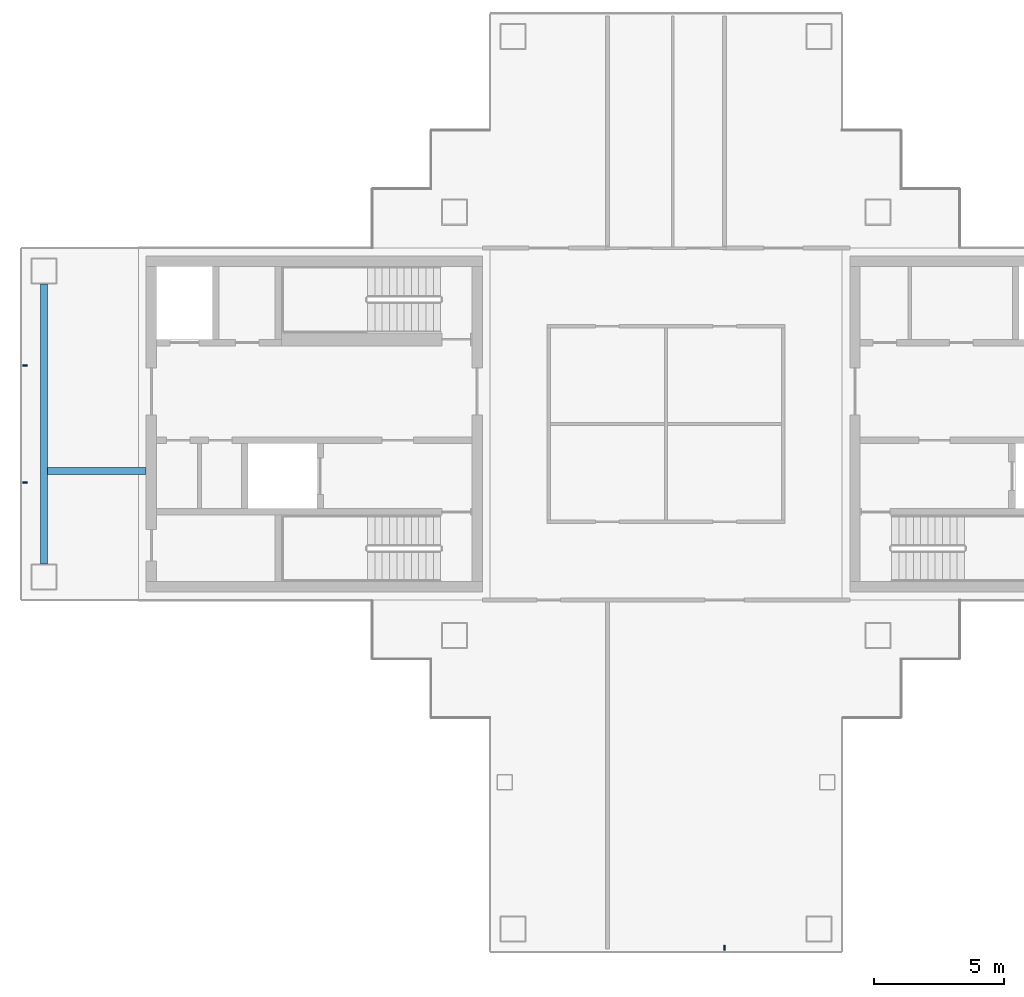
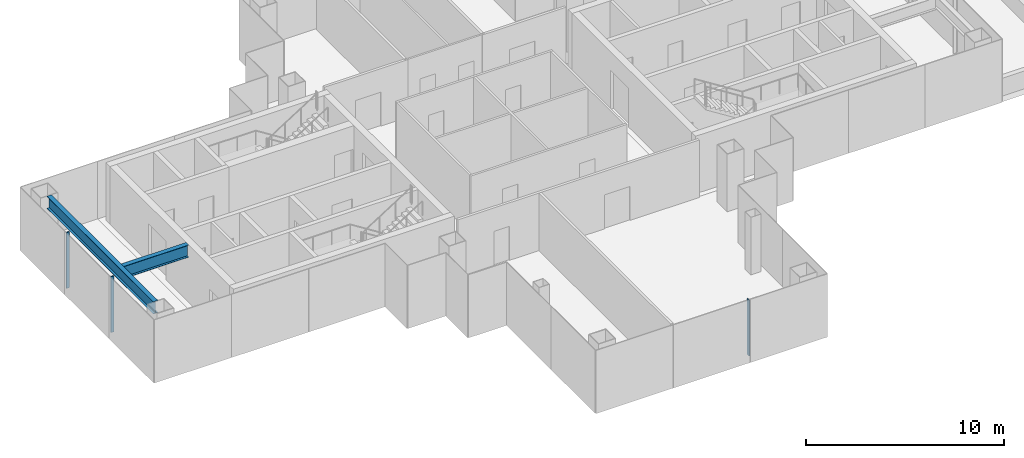
# One storey, part 3 of 16: 3 members, 2 beams, 2 elements without a shape of their own.
"""IFC4 building model written with IfcOpenShell, lengths in metres."""

from ifc_helpers import new_model, si_unit, direction, frame, origin, origin_2d, place, context, subcontext, project, spatial, rectangle, i_section, extrude, material, layer, layer_set, material_profile, profile_set, type_object, element, aggregate, save


model = new_model("IFC4")

# Units and contexts
model_context = context("Model", 3, precision=1e-05, world=origin(), true_north=direction((0.0, 1.0)))
body_context = subcontext(model_context, "Body", "Model", "MODEL_VIEW")
ifc_project = project(units=[si_unit("LENGTHUNIT", "METRE"), si_unit("AREAUNIT", "SQUARE_METRE"), si_unit("VOLUMEUNIT", "CUBIC_METRE"), si_unit("PLANEANGLEUNIT", "RADIAN"), si_unit("MASSUNIT", "GRAM", prefix="KILO")], contexts=[model_context])

# Site, building, storey
site_placement = place(None, origin())
site = spatial("IfcSite", under=ifc_project, at=site_placement, CompositionType="ELEMENT")
building_placement = place(site_placement, origin())
building = spatial("IfcBuilding", under=site, at=building_placement, Name="Shamsa Quay Exchange Towers", CompositionType="ELEMENT")
storey_placement = place(building_placement, frame((0.0, 0.0, 182.699951171875)))
storey = spatial("IfcBuildingStorey", under=building, at=storey_placement, Name="L43", CompositionType="ELEMENT", Elevation=182.699951171875)

# Curtain wall, member
ifc_material_1 = material(Name="Aluminium EN AW-6063 T6, black anodised", Category="aluminium")
ifc_layer = layer(ifc_material_1, 0.280029296875)
ifc_layer_set = layer_set([ifc_layer], Name="CW-1 UNITISED VISION GLASS")
curtain_wall_type = type_object("IfcCurtainWallType", Name="CW-1 UNITISED VISION GLASS", PredefinedType="NOTDEFINED", material=ifc_layer_set)
curtain_wall_1_placement = place(storey_placement, origin())
curtain_wall_1 = element("IfcCurtainWall", 1, at=curtain_wall_1_placement, inside=storey, type_object=curtain_wall_type, Name="CW1 T1-END-V- L43", PredefinedType="NOTDEFINED")
ifc_material_profile_1 = material_profile(ifc_material_1, rectangle(XDim=0.179931640625, YDim=0.06005859375, at=origin_2d()), Name="MU60x180")
ifc_profile_set_1 = profile_set([ifc_material_profile_1], Name="Aluminium EN AW-6063 T6, black anodised")
member_type = type_object("IfcMemberType", Name="CW1 MULLION 60x180", PredefinedType="MULLION", material=ifc_profile_set_1)
member_1_placement = place(storey_placement, frame((-31.5, -20.10009765625, 0.0), z_axis=(0.0, 0.0, 1.0), x_axis=(0.0, 1.0, 0.0)))
member_1 = element("IfcMember", 2, at=member_1_placement, type_object=member_type, Name="CW1 mullion", PredefinedType="MULLION", context=body_context, shape_type="SweptSolid", body=[
    extrude(rectangle(XDim=0.179931640625, YDim=0.06005859375, at=origin_2d()), origin(), (0.0, 0.0, 1.0), 3.449951171875),
])
aggregate(curtain_wall_1, [member_1])

# Curtain wall, members
curtain_wall_2_placement = place(storey_placement, origin())
curtain_wall_2 = element("IfcCurtainWall", 3, at=curtain_wall_2_placement, inside=storey, type_object=curtain_wall_type, Name="CW1 T1-END-U- L43", PredefinedType="NOTDEFINED")
member_2_placement = place(storey_placement, frame((-58.35009765625, 2.25, 0.0)))
member_2 = element("IfcMember", 4, at=member_2_placement, type_object=member_type, Name="CW1 mullion", PredefinedType="MULLION", context=body_context, shape_type="SweptSolid", body=[
    extrude(rectangle(XDim=0.179931640625, YDim=0.06005859375, at=origin_2d()), origin(), (0.0, 0.0, 1.0), 3.449951171875),
])
member_3_placement = place(storey_placement, frame((-58.35009765625, -2.25, 0.0)))
member_3 = element("IfcMember", 5, at=member_3_placement, type_object=member_type, Name="CW1 mullion", PredefinedType="MULLION", context=body_context, shape_type="SweptSolid", body=[
    extrude(rectangle(XDim=0.179931640625, YDim=0.06005859375, at=origin_2d()), origin(), (0.0, 0.0, 1.0), 3.449951171875),
])
aggregate(curtain_wall_2, [member_2, member_3])

# Beams
ifc_material_2 = material(Name="Steel S355", Category="steel")
ifc_material_profile_2 = material_profile(ifc_material_2, i_section(OverallWidth=0.26611328125, OverallDepth=0.7578125, WebThickness=0.013916015625, FlangeThickness=0.019287109375, at=origin_2d()), Name="W30x108")
ifc_profile_set_2 = profile_set([ifc_material_profile_2], Name="Steel S355")
beam_type = type_object("IfcBeamType", Name="End-zone beam W30x108", PredefinedType="BEAM", material=ifc_profile_set_2)
beam_1_placement = place(storey_placement, frame((-57.625, -5.375, 3.171142578125), z_axis=(0.0, 1.0, 0.0), x_axis=(-1.0, 0.0, 0.0)))
element("IfcBeam", 6, at=beam_1_placement, inside=storey, type_object=beam_type, Name="End beam T1 U- end zone L43", PredefinedType="BEAM", context=body_context, shape_type="SweptSolid", body=[
    extrude(i_section(OverallWidth=0.26611328125, OverallDepth=0.7578125, WebThickness=0.013916015625, FlangeThickness=0.019287109375, at=origin_2d()), origin(), (0.0, 0.0, 1.0), 10.75),
])
beam_2_placement = place(storey_placement, frame((-53.699951171875, -1.800048828125, 3.171142578125), z_axis=(-1.0, 0.0, 0.0), x_axis=(0.0, -1.0, 0.0)))
element("IfcBeam", 7, at=beam_2_placement, inside=storey, type_object=beam_type, Name="Spine beam T1 U- end zone L43", PredefinedType="BEAM", context=body_context, shape_type="SweptSolid", body=[
    extrude(i_section(OverallWidth=0.26611328125, OverallDepth=0.7578125, WebThickness=0.013916015625, FlangeThickness=0.019287109375, at=origin_2d()), origin(), (0.0, 0.0, 1.0), 3.7919921875),
])

save(model, "model.ifc")
